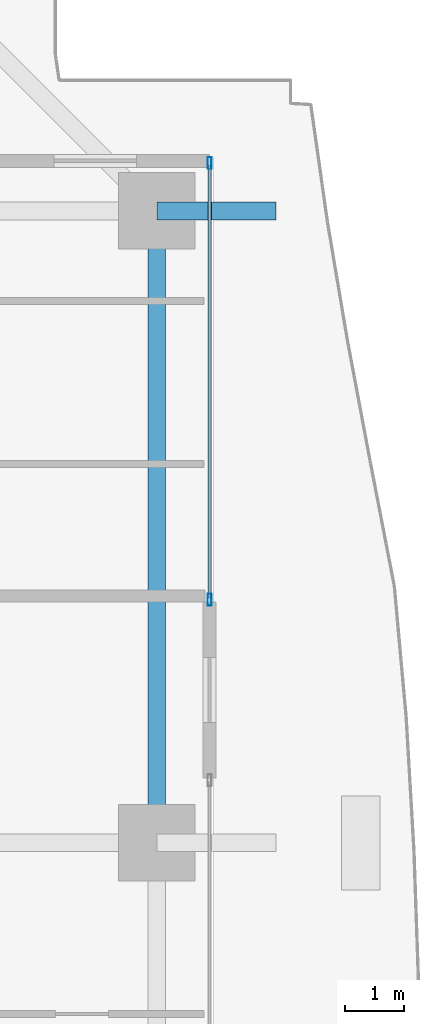
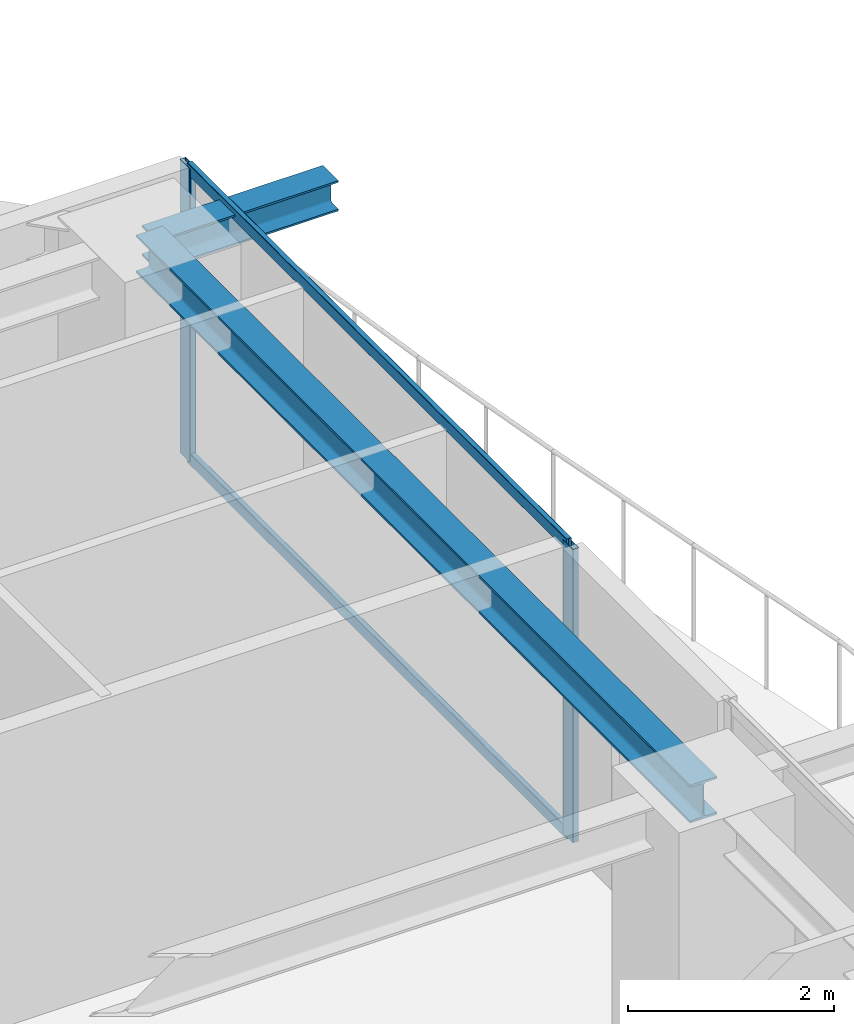
# One storey, part 21 of 33: 4 members, 2 beams, 1 element without a shape of its own.
"""IFC4 building model written with IfcOpenShell, lengths in metres."""

from ifc_helpers import new_model, si_unit, direction, frame, origin, origin_2d, place, context, subcontext, project, spatial, hollow_rectangle, i_section, extrude, source, transform, mapped, material, layer, layer_set, material_profile, profile_set, type_object, element, aggregate, save


model = new_model("IFC4")

# Units and contexts
model_context = context("Model", 3, precision=1e-05, world=origin(), true_north=direction((0.0, 1.0)))
body_context = subcontext(model_context, "Body", "Model", "MODEL_VIEW")
ifc_project = project(units=[si_unit("LENGTHUNIT", "METRE"), si_unit("AREAUNIT", "SQUARE_METRE"), si_unit("VOLUMEUNIT", "CUBIC_METRE"), si_unit("PLANEANGLEUNIT", "RADIAN"), si_unit("MASSUNIT", "GRAM", prefix="KILO")], contexts=[model_context])

# Site, building, storey
site_placement = place(None, origin())
site = spatial("IfcSite", under=ifc_project, at=site_placement, CompositionType="ELEMENT")
building_placement = place(site_placement, origin())
building = spatial("IfcBuilding", under=site, at=building_placement, Name="Serunith Strait Residences", CompositionType="ELEMENT")
storey_placement = place(building_placement, frame((0.0, 0.0, 150.14990234375)))
storey = spatial("IfcBuildingStorey", under=building, at=storey_placement, Name="L37", CompositionType="ELEMENT", Elevation=150.14990234375)

# Beams
ifc_material_1 = material(Name="Steel S355J2", Category="steel")
ifc_material_profile_1 = material_profile(ifc_material_1, i_section(OverallWidth=0.300048828125, OverallDepth=0.449951171875, WebThickness=0.013916015625, FlangeThickness=0.02587890625, FilletRadius=0.027099609375, at=origin_2d()), Name="HEB 450")
ifc_profile_set_1 = profile_set([ifc_material_profile_1], Name="Steel S355J2")
beam_type_1 = type_object("IfcBeamType", Name="BM-HEB450", PredefinedType="BEAM", material=ifc_profile_set_1)
shared_shape_1 = source(origin(), body_context, "Body", "SweptSolid", [
    extrude(i_section(OverallWidth=0.300048828125, OverallDepth=0.449951171875, WebThickness=0.013916015625, FlangeThickness=0.02587890625, FilletRadius=0.027099609375, at=origin_2d()), origin(), (0.0, 0.0, 1.0), 10.75),
])
beam_1_placement = place(storey_placement, frame((56.10009765625, 29.39990234375, 3.26220703125), z_axis=(0.0, 1.0, 0.0), x_axis=(-1.0, 0.0, 0.0)))
element("IfcBeam", 1, at=beam_1_placement, inside=storey, type_object=beam_type_1, Name="L37 Perimeter Ring Beam 07", PredefinedType="BEAM", context=body_context, shape_type="MappedRepresentation", body=[
    mapped(shared_shape_1, transform((0.0, 0.0, 0.0), scale=1.0)),
])
ifc_material_profile_2 = material_profile(ifc_material_1, i_section(OverallWidth=0.300048828125, OverallDepth=0.360107421875, WebThickness=0.012451171875, FlangeThickness=0.0224609375, FilletRadius=0.027099609375, at=origin_2d()), Name="HEB 360")
ifc_profile_set_2 = profile_set([ifc_material_profile_2], Name="Steel S355J2")
beam_type_2 = type_object("IfcBeamType", Name="BM-HEB360", PredefinedType="BEAM", material=ifc_profile_set_2)
shared_shape_2 = source(origin(), body_context, "Body", "SweptSolid", [
    extrude(i_section(OverallWidth=0.300048828125, OverallDepth=0.360107421875, WebThickness=0.012451171875, FlangeThickness=0.0224609375, FilletRadius=0.027099609375, at=origin_2d()), origin(), (0.0, 0.0, 1.0), 2.02978515625),
])
beam_2_placement = place(storey_placement, frame((56.10009765625, 40.14990234375, 3.277099609375), z_axis=(1.0, 0.0, 0.0), x_axis=(0.0, 1.0, 0.0)))
element("IfcBeam", 2, at=beam_2_placement, inside=storey, type_object=beam_type_2, Name="L38 Cantilevered Balcony Rib TC-E4", PredefinedType="BEAM", context=body_context, shape_type="MappedRepresentation", body=[
    mapped(shared_shape_2, transform((0.0, 0.0, 0.0), scale=1.0)),
])

# Curtain wall, members
ifc_material_2 = material(Name="Pale-Champagne Anodised Aluminium", Category="aluminium")
ifc_layer = layer(ifc_material_2, 0.199951171875, Name="Pale-Champagne Anodised Aluminium")
ifc_layer_set = layer_set([ifc_layer], Name="Pale-Champagne Anodised Aluminium")
curtain_wall_type = type_object("IfcCurtainWallType", Name="CW-SYS2", PredefinedType="NOTDEFINED", material=ifc_layer_set)
curtain_wall_placement = place(storey_placement, origin())
curtain_wall = element("IfcCurtainWall", 3, at=curtain_wall_placement, inside=storey, type_object=curtain_wall_type, Name="L37 E Unitised Fritted Curtain Wall", PredefinedType="NOTDEFINED")
ifc_material_profile_3 = material_profile(ifc_material_2, hollow_rectangle(XDim=0.070068359375, YDim=0.199951171875, WallThickness=0.00390625, InnerFilletRadius=0.006103515625, OuterFilletRadius=0.010009765625, at=origin_2d()), Name="ALU 200x70x4")
ifc_profile_set_3 = profile_set([ifc_material_profile_3], Name="Pale-Champagne Anodised Aluminium")
member_type_1 = type_object("IfcMemberType", Name="CW-SYS2-MULL", PredefinedType="MULLION", material=ifc_profile_set_3)
shared_shape_3 = source(origin(), body_context, "Body", "SweptSolid", [
    extrude(hollow_rectangle(XDim=0.070068359375, YDim=0.199951171875, WallThickness=0.00390625, InnerFilletRadius=0.006103515625, OuterFilletRadius=0.010009765625, at=origin_2d()), origin(), (0.0, 0.0, 1.0), 3.47509765625),
])
member_1_placement = place(storey_placement, frame((57.0, 33.534912109375, 0.0), z_axis=(0.0, 0.0, 1.0), x_axis=(-1.0, 0.0, 0.0)))
member_1 = element("IfcMember", 4, at=member_1_placement, type_object=member_type_1, Name="CW-2 mullion 1", PredefinedType="MULLION", context=body_context, shape_type="MappedRepresentation", body=[
    mapped(shared_shape_3, transform((0.0, 0.0, 0.0), scale=1.0)),
])
member_2_placement = place(storey_placement, frame((57.0, 40.965087890625, 0.0), z_axis=(0.0, 0.0, 1.0), x_axis=(-1.0, 0.0, 0.0)))
member_2 = element("IfcMember", 5, at=member_2_placement, type_object=member_type_1, Name="CW-2 mullion 2", PredefinedType="MULLION", context=body_context, shape_type="MappedRepresentation", body=[
    mapped(shared_shape_3, transform((0.0, 0.0, 0.0), scale=1.0)),
])
ifc_material_profile_4 = material_profile(ifc_material_2, hollow_rectangle(XDim=0.06005859375, YDim=0.139892578125, WallThickness=0.00341796875, InnerFilletRadius=0.00537109375, OuterFilletRadius=0.0087890625, at=origin_2d()), Name="ALU 140x60x3.5")
ifc_profile_set_4 = profile_set([ifc_material_profile_4], Name="Pale-Champagne Anodised Aluminium")
member_type_2 = type_object("IfcMemberType", Name="CW-SYS2-TRAN", PredefinedType="USERDEFINED", material=ifc_profile_set_4)
shared_shape_4 = source(origin(), body_context, "Body", "SweptSolid", [
    extrude(hollow_rectangle(XDim=0.06005859375, YDim=0.139892578125, WallThickness=0.00341796875, InnerFilletRadius=0.00537109375, OuterFilletRadius=0.0087890625, at=origin_2d()), origin(), (0.0, 0.0, 1.0), 7.35986328125),
])
member_3_placement = place(storey_placement, frame((57.0, 33.570068359375, 0.030029296875), z_axis=(0.0, 1.0, 0.0), x_axis=(-1.0, 0.0, 0.0)))
member_3 = element("IfcMember", 6, at=member_3_placement, type_object=member_type_2, Name="CW-2 transom 1.1", ObjectType="TRANSOM", PredefinedType="USERDEFINED", context=body_context, shape_type="MappedRepresentation", body=[
    mapped(shared_shape_4, transform((0.0, 0.0, 0.0), scale=1.0)),
])
member_4_placement = place(storey_placement, frame((57.0, 33.570068359375, 3.445068359375), z_axis=(0.0, 1.0, 0.0), x_axis=(-1.0, 0.0, 0.0)))
member_4 = element("IfcMember", 7, at=member_4_placement, type_object=member_type_2, Name="CW-2 transom 1.2", ObjectType="TRANSOM", PredefinedType="USERDEFINED", context=body_context, shape_type="MappedRepresentation", body=[
    mapped(shared_shape_4, transform((0.0, 0.0, 0.0), scale=1.0)),
])
aggregate(curtain_wall, [member_1, member_2, member_3, member_4])

save(model, "model.ifc")
